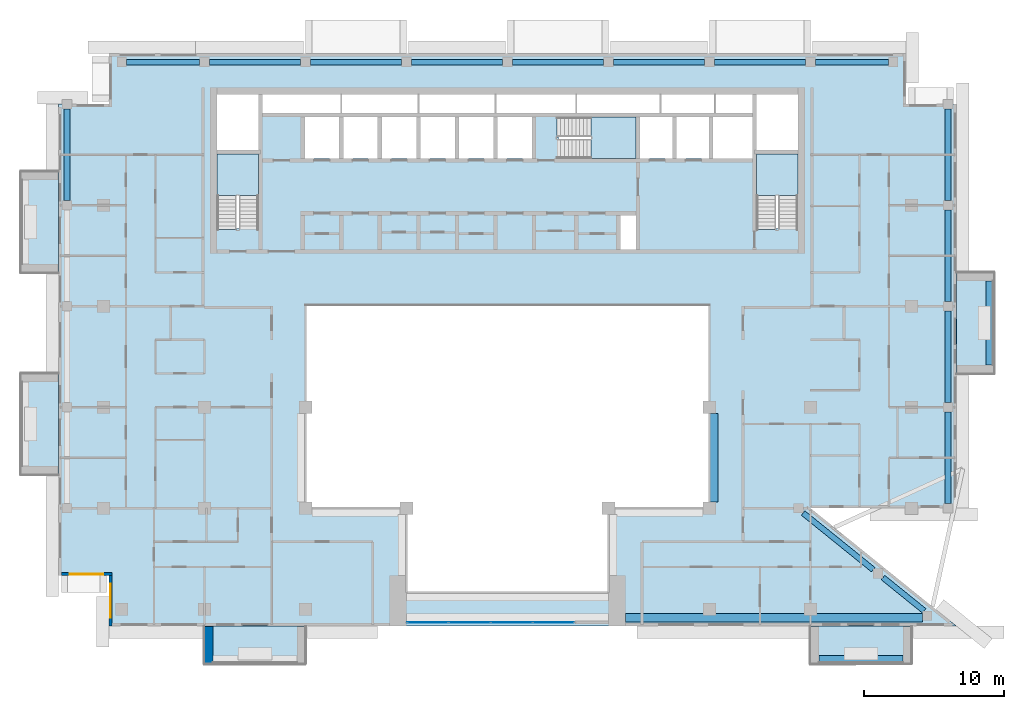
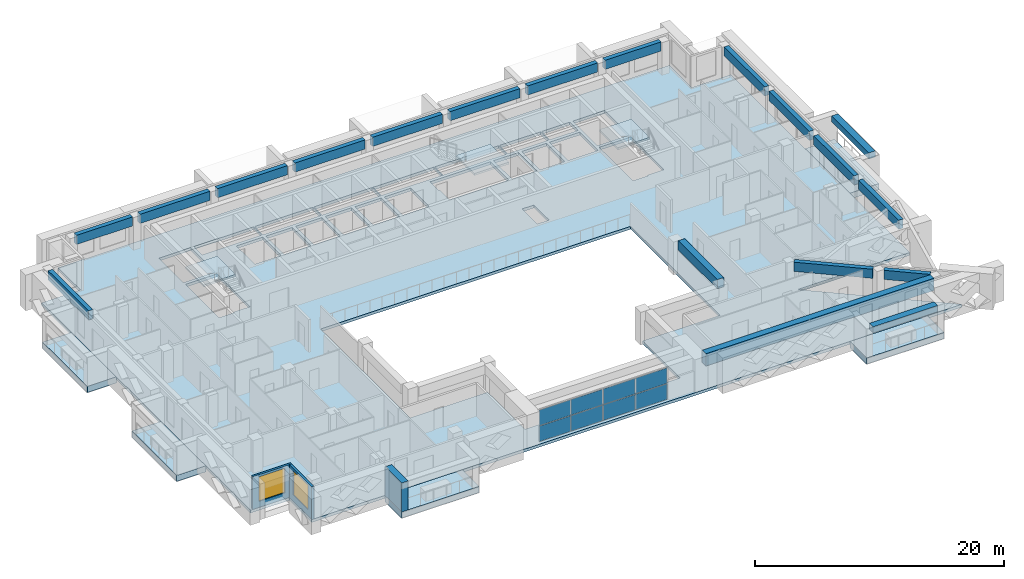
# One storey, part 5 of 19: 19 beams, 9 slabs, 8 plates, 3 walls, 2 windows, 2 openings, 4 elements without a shape of their own.
"""IFC4 building model written with IfcOpenShell, lengths in metres."""

from ifc_helpers import new_model, si_unit, direction, frame, frame_2d, origin, origin_2d, place, context, subcontext, project, spatial, polyline, rectangle, outline, extrude, source, transform, mapped, material, layer, layer_set, material_profile, profile_set, type_object, element, fill, aggregate, save


model = new_model("IFC4")

# Units and contexts
model_context = context("Model", 3, precision=1e-05, world=origin(), true_north=direction((0.0, 1.0)))
body_context = subcontext(model_context, "Body", "Model", "MODEL_VIEW")
ifc_project = project(units=[si_unit("LENGTHUNIT", "METRE"), si_unit("AREAUNIT", "SQUARE_METRE"), si_unit("VOLUMEUNIT", "CUBIC_METRE"), si_unit("PLANEANGLEUNIT", "RADIAN"), si_unit("MASSUNIT", "GRAM", prefix="KILO")], contexts=[model_context])

# Site, building, storey
site_placement = place(None, origin())
site = spatial("IfcSite", under=ifc_project, at=site_placement, CompositionType="ELEMENT")
building_placement = place(site_placement, origin())
building = spatial("IfcBuilding", under=site, at=building_placement, Name="Saffron Iwan Residences", CompositionType="ELEMENT")
storey_placement = place(building_placement, frame((0.0, 0.0, 222.0)))
storey = spatial("IfcBuildingStorey", under=building, at=storey_placement, Name="L59", CompositionType="ELEMENT", Elevation=222.0)

# Beams
ifc_material_1 = material(Name="Concrete C40/50", Category="concrete")
ifc_material_profile_1 = material_profile(ifc_material_1, rectangle(XDim=0.39990234375, YDim=0.89990234375, at=origin_2d()), Name="RC 400x900")
ifc_profile_set_1 = profile_set([ifc_material_profile_1], Name="Concrete C40/50")
beam_type_1 = type_object("IfcBeamType", Name="SPANDREL BEAM RC 400x900 C40/50 TOP 3220", PredefinedType="SPANDREL", material=ifc_profile_set_1)
shared_shape_1 = source(origin(), body_context, "Body", "SweptSolid", [
    extrude(rectangle(XDim=0.39990234375, YDim=0.89990234375, at=origin_2d()), origin(), (0.0, 0.0, 1.0), 3.767578125),
])
beam_1_placement = place(storey_placement, frame((77.173095703125, 43.050537109375, 2.77001953125), z_axis=(0.777920469401, -0.62836274817, 0.0), x_axis=(0.62836274817, 0.777920469401, 0.0)))
element("IfcBeam", 1, at=beam_1_placement, inside=storey, type_object=beam_type_1, Name="Spandrel beam", PredefinedType="SPANDREL", context=body_context, shape_type="MappedRepresentation", body=[
    mapped(shared_shape_1, transform((0.0, 0.0, 0.0))),
])
shared_shape_2 = source(origin(), body_context, "Body", "SweptSolid", [
    extrude(rectangle(XDim=0.39990234375, YDim=0.89990234375, at=origin_2d()), origin(), (0.0, 0.0, 1.0), 6.419921875),
])
beam_2_placement = place(storey_placement, frame((71.478515625, 47.64990234375, 2.77001953125), z_axis=(0.777940465262, -0.628337992253, 0.0), x_axis=(0.628337992253, 0.777940465262, 0.0)))
element("IfcBeam", 2, at=beam_2_placement, inside=storey, type_object=beam_type_1, Name="Spandrel beam", PredefinedType="SPANDREL", context=body_context, shape_type="MappedRepresentation", body=[
    mapped(shared_shape_2, transform((0.0, 0.0, 0.0))),
])
shared_shape_3 = source(origin(), body_context, "Body", "SweptSolid", [
    extrude(rectangle(XDim=0.39990234375, YDim=0.89990234375, at=origin_2d()), origin(), (0.0, 0.0, 1.0), 6.5),
])
for number, where, z_axis, x_axis, name in (
    (3, (81.800048828125, 54.85009765625, 2.77001953125), (0.0, -1.0, 0.0), (1.0, 0.0, 0.0), "Spandrel beam"),
    (4, (81.800048828125, 62.050048828125, 2.77001953125), (0.0, -1.0, 0.0), (1.0, 0.0, 0.0), "Spandrel beam"),
    (5, (81.800048828125, 69.25, 2.77001953125), (0.0, -1.0, 0.0), (1.0, 0.0, 0.0), "Spandrel beam"),
    (6, (19.0, 69.949951171875, 2.77001953125), (0.0, 1.0, 0.0), (-1.0, 0.0, 0.0), "Spandrel beam"),
    (7, (81.800048828125, 76.449951171875, 2.77001953125), (0.0, -1.0, 0.0), (1.0, 0.0, 0.0), "Spandrel beam"),
    (8, (29.14990234375, 79.800048828125, 2.77001953125), (1.0, 0.0, 0.0), (0.0, 1.0, 0.0), "Spandrel beam"),
    (9, (36.35009765625, 79.800048828125, 2.77001953125), (1.0, 0.0, 0.0), (0.0, 1.0, 0.0), "Spandrel beam"),
    (10, (43.550048828125, 79.800048828125, 2.77001953125), (1.0, 0.0, 0.0), (0.0, 1.0, 0.0), "Spandrel beam"),
    (11, (50.75, 79.800048828125, 2.77001953125), (1.0, 0.0, 0.0), (0.0, 1.0, 0.0), "Spandrel beam"),
    (12, (57.949951171875, 79.800048828125, 2.77001953125), (1.0, 0.0, 0.0), (0.0, 1.0, 0.0), "Spandrel beam"),
    (13, (65.14990234375, 79.800048828125, 2.77001953125), (1.0, 0.0, 0.0), (0.0, 1.0, 0.0), "Spandrel beam"),
):
    element("IfcBeam", number, at=place(storey_placement, frame(where, z_axis=z_axis, x_axis=x_axis)), inside=storey, type_object=beam_type_1, Name=name, PredefinedType="SPANDREL", context=body_context, shape_type="MappedRepresentation", body=[
        mapped(shared_shape_3, transform((0.0, 0.0, 0.0))),
    ])
shared_shape_4 = source(origin(), body_context, "Body", "SweptSolid", [
    extrude(rectangle(XDim=0.39990234375, YDim=0.89990234375, at=origin_2d()), origin(), (0.0, 0.0, 1.0), 5.199951171875),
])
for number, where, z_axis, x_axis, name in (
    (14, (23.25, 79.800048828125, 2.77001953125), (1.0, 0.0, 0.0), (0.0, 1.0, 0.0), "Spandrel beam"),
    (15, (72.35009765625, 79.800048828125, 2.77001953125), (1.0, 0.0, 0.0), (0.0, 1.0, 0.0), "Spandrel beam"),
):
    element("IfcBeam", number, at=place(storey_placement, frame(where, z_axis=z_axis, x_axis=x_axis)), inside=storey, type_object=beam_type_1, Name=name, PredefinedType="SPANDREL", context=body_context, shape_type="MappedRepresentation", body=[
        mapped(shared_shape_4, transform((0.0, 0.0, 0.0))),
    ])
ifc_material_profile_2 = material_profile(ifc_material_1, rectangle(XDim=0.60009765625, YDim=1.199951171875, at=origin_2d()), Name="RC 600x1200")
ifc_profile_set_2 = profile_set([ifc_material_profile_2], Name="Concrete C40/50")
beam_type_2 = type_object("IfcBeamType", Name="LINTEL BEAM RC 600x1200 C40/50 TOP 3220", PredefinedType="LINTEL", material=ifc_profile_set_2)
shared_shape_5 = source(origin(), body_context, "Body", "SweptSolid", [
    extrude(rectangle(XDim=0.60009765625, YDim=1.199951171875, at=origin_2d()), origin(), (0.0, 0.0, 1.0), 21.175537109375),
])
beam_3_placement = place(storey_placement, frame((79.9755859375, 40.199951171875, 2.6201171875), z_axis=(-1.0, 0.0, 0.0), x_axis=(0.0, -1.0, 0.0)))
element("IfcBeam", 16, at=beam_3_placement, inside=storey, type_object=beam_type_2, Name="Lintel beam over the iwan", PredefinedType="LINTEL", context=body_context, shape_type="MappedRepresentation", body=[
    mapped(shared_shape_5, transform((0.0, 0.0, 0.0))),
])
ifc_material_profile_3 = material_profile(ifc_material_1, rectangle(XDim=0.60009765625, YDim=0.89990234375, at=origin_2d()), Name="RC 600x900")
ifc_profile_set_3 = profile_set([ifc_material_profile_3], Name="Concrete C40/50")
beam_type_3 = type_object("IfcBeamType", Name="BEAM RC 600x900 C40/50 TOP 3220", PredefinedType="BEAM", material=ifc_profile_set_3)
shared_shape_6 = source(origin(), body_context, "Body", "SweptSolid", [
    extrude(rectangle(XDim=0.60009765625, YDim=0.89990234375, at=origin_2d()), origin(), (0.0, 0.0, 1.0), 6.300048828125),
])
beam_4_placement = place(storey_placement, frame((65.10009765625, 54.75, 2.77001953125), z_axis=(0.0, -1.0, 0.0), x_axis=(1.0, 0.0, 0.0)))
element("IfcBeam", 17, at=beam_4_placement, inside=storey, type_object=beam_type_3, Name="Atrium edge beam", PredefinedType="BEAM", context=body_context, shape_type="MappedRepresentation", body=[
    mapped(shared_shape_6, transform((0.0, 0.0, 0.0))),
])
ifc_material_2 = material(Name="Concrete C50/60 white painted", Category="concrete")
ifc_material_profile_4 = material_profile(ifc_material_2, rectangle(XDim=0.60009765625, YDim=0.60009765625, at=origin_2d()), Name="BALCONY FASCIA BEAM 600 x 600")
ifc_profile_set_4 = profile_set([ifc_material_profile_4], Name="Concrete C50/60 white painted")
beam_type_4 = type_object("IfcBeamType", Name="BALCONY FASCIA BEAM 600 x 600", PredefinedType="BEAM", material=ifc_profile_set_4)
shared_shape_7 = source(origin(), body_context, "Body", "SweptSolid", [
    extrude(rectangle(XDim=0.60009765625, YDim=0.60009765625, at=origin_2d()), origin(), (0.0, 0.0, 1.0), 6.0),
])
for number, where, z_axis, x_axis, name in (
    (18, (84.800048828125, 58.199951171875, 2.550048828125), (0.0, 1.0, 0.0), (-1.0, 0.0, 0.0), "Balcony fascia beam L59 F2-0"),
    (19, (72.60009765625, 37.199951171875, 2.550048828125), (1.0, 0.0, 0.0), (0.0, 1.0, 0.0), "Balcony fascia beam L59 11-1"),
):
    element("IfcBeam", number, at=place(storey_placement, frame(where, z_axis=z_axis, x_axis=x_axis)), inside=storey, type_object=beam_type_4, Name=name, PredefinedType="BEAM", context=body_context, shape_type="MappedRepresentation", body=[
        mapped(shared_shape_7, transform((0.0, 0.0, 0.0))),
    ])

# Slabs
ifc_layer_1 = layer(ifc_material_2, 0.60009765625)
ifc_layer_set_1 = layer_set([ifc_layer_1], Name="Concrete C50/60 white painted")
slab_type_1 = type_object("IfcSlabType", Name="BALCONY FRAME SLAB 600", PredefinedType="FLOOR", material=ifc_layer_set_1)
slab_1_placement = place(storey_placement, frame((0.0, 0.0, -0.60009765625)))
element("IfcSlab", 20, at=slab_1_placement, inside=storey, type_object=slab_type_1, Name="Balcony frame slab L59 F2-0", PredefinedType="FLOOR", context=body_context, shape_type="SweptSolid", body=[
    extrude(outline(polyline([(85.10009765625, 57.60009765625), (85.10009765625, 64.800048828125), (82.39990234375, 64.800048828125), (82.39990234375, 57.60009765625), (85.10009765625, 57.60009765625)])), origin(), (0.0, 0.0, 1.0), 0.60009765625),
])
slab_2_placement = place(storey_placement, frame((0.0, 0.0, -0.60009765625)))
element("IfcSlab", 21, at=slab_2_placement, inside=storey, type_object=slab_type_1, Name="Balcony frame slab L59 F8-0", PredefinedType="FLOOR", context=body_context, shape_type="SweptSolid", body=[
    extrude(outline(polyline([(15.699951171875, 72.0), (15.699951171875, 64.800048828125), (18.39990234375, 64.800048828125), (18.39990234375, 72.0), (15.699951171875, 72.0)])), origin(), (0.0, 0.0, 1.0), 0.60009765625),
])
slab_3_placement = place(storey_placement, frame((0.0, 0.0, -0.60009765625)))
element("IfcSlab", 22, at=slab_3_placement, inside=storey, type_object=slab_type_1, Name="Balcony frame slab L59 F8-1", PredefinedType="FLOOR", context=body_context, shape_type="SweptSolid", body=[
    extrude(outline(polyline([(15.699951171875, 57.60009765625), (15.699951171875, 50.39990234375), (18.39990234375, 50.39990234375), (18.39990234375, 57.60009765625), (15.699951171875, 57.60009765625)])), origin(), (0.0, 0.0, 1.0), 0.60009765625),
])
slab_4_placement = place(storey_placement, frame((0.0, 0.0, -0.60009765625)))
element("IfcSlab", 23, at=slab_4_placement, inside=storey, type_object=slab_type_1, Name="Balcony frame slab L59 11-0", PredefinedType="FLOOR", context=body_context, shape_type="SweptSolid", body=[
    extrude(outline(polyline([(28.800048828125, 36.89990234375), (36.0, 36.89990234375), (36.0, 39.60009765625), (28.800048828125, 39.60009765625), (28.800048828125, 36.89990234375)])), origin(), (0.0, 0.0, 1.0), 0.60009765625),
])
slab_5_placement = place(storey_placement, frame((0.0, 0.0, -0.60009765625)))
element("IfcSlab", 24, at=slab_5_placement, inside=storey, type_object=slab_type_1, Name="Balcony frame slab L59 11-1", PredefinedType="FLOOR", context=body_context, shape_type="SweptSolid", body=[
    extrude(outline(polyline([(72.0, 36.89990234375), (79.199951171875, 36.89990234375), (79.199951171875, 39.60009765625), (72.0, 39.60009765625), (72.0, 36.89990234375)])), origin(), (0.0, 0.0, 1.0), 0.60009765625),
])
ifc_layer_2 = layer(ifc_material_1, 0.280029296875)
ifc_layer_set_2 = layer_set([ifc_layer_2], Name="Concrete C40/50")
slab_type_2 = type_object("IfcSlabType", Name="PT PLATE 280 C40/50", PredefinedType="FLOOR", material=ifc_layer_set_2)
slab_6_placement = place(storey_placement, frame((0.0, 0.0, -0.280029296875)))
element("IfcSlab", 25, at=slab_6_placement, inside=storey, type_object=slab_type_2, Name="Floor slab L59", PredefinedType="FLOOR", context=body_context, shape_type="SweptSolid", body=[
    extrude(outline(polyline([(18.39990234375, 43.199951171875), (18.39990234375, 76.800048828125), (22.0, 76.800048828125), (22.0, 80.39990234375), (78.800048828125, 80.39990234375), (78.800048828125, 76.800048828125), (82.39990234375, 76.800048828125), (82.39990234375, 48.0), (72.0, 48.0), (82.39990234375, 39.60009765625), (22.0, 39.60009765625), (22.0, 43.199951171875), (18.39990234375, 43.199951171875)]), holes=[polyline([(64.800048828125, 48.0), (64.800048828125, 62.39990234375), (36.0, 62.39990234375), (36.0, 48.0), (43.199951171875, 48.0), (43.199951171875, 42.0), (57.60009765625, 42.0), (57.60009765625, 48.0), (64.800048828125, 48.0)]), polyline([(29.699951171875, 73.25), (29.699951171875, 67.949951171875), (29.699951171875, 67.8505859375), (31.10009765625, 67.8505859375), (31.10009765625, 67.949951171875), (32.64990234375, 67.949951171875), (32.64990234375, 73.25), (29.699951171875, 73.25)]), polyline([(38.39990234375, 75.875), (35.949951171875, 75.875), (35.949951171875, 72.925048828125), (38.39990234375, 72.925048828125), (38.39990234375, 75.875)]), polyline([(41.14990234375, 75.875), (38.699951171875, 75.875), (38.699951171875, 72.925048828125), (41.14990234375, 72.925048828125), (41.14990234375, 75.875)]), polyline([(43.89990234375, 72.925048828125), (43.89990234375, 75.875), (41.449951171875, 75.875), (41.449951171875, 72.925048828125), (43.89990234375, 72.925048828125)]), polyline([(46.64990234375, 72.925048828125), (46.64990234375, 75.875), (44.199951171875, 75.875), (44.199951171875, 72.925048828125), (46.64990234375, 72.925048828125)]), polyline([(49.39990234375, 75.875), (46.949951171875, 75.875), (46.949951171875, 72.925048828125), (49.39990234375, 72.925048828125), (49.39990234375, 75.875)]), polyline([(52.14990234375, 72.925048828125), (52.14990234375, 75.875), (49.699951171875, 75.875), (49.699951171875, 72.925048828125), (52.14990234375, 72.925048828125)]), polyline([(32.64990234375, 73.550048828125), (32.64990234375, 77.5), (29.699951171875, 77.5), (29.699951171875, 73.550048828125), (32.64990234375, 73.550048828125)]), polyline([(38.5, 77.5), (32.949951171875, 77.5), (32.949951171875, 76.175048828125), (38.5, 76.175048828125), (38.5, 77.5)]), polyline([(44.0, 76.175048828125), (44.0, 77.5), (38.60009765625, 77.5), (38.60009765625, 76.175048828125), (44.0, 76.175048828125)]), polyline([(49.5, 76.175048828125), (49.5, 77.5), (44.10009765625, 77.5), (44.10009765625, 76.175048828125), (49.5, 76.175048828125)]), polyline([(59.550048828125, 68.875), (58.449951171875, 68.875), (58.449951171875, 66.449951171875), (59.550048828125, 66.449951171875), (59.550048828125, 68.875)]), polyline([(68.14990234375, 73.25), (68.14990234375, 67.949951171875), (68.14990234375, 67.8505859375), (69.550048828125, 67.8505859375), (69.550048828125, 67.949951171875), (71.10009765625, 67.949951171875), (71.10009765625, 73.25), (68.14990234375, 73.25)]), polyline([(54.02490234375, 74.47509765625), (54.02490234375, 72.925048828125), (59.550048828125, 72.925048828125), (59.550048828125, 75.875), (54.02490234375, 75.875), (53.925537109375, 75.875), (53.925537109375, 74.47509765625), (54.02490234375, 74.47509765625)]), polyline([(62.14990234375, 72.925048828125), (62.14990234375, 75.875), (59.85009765625, 75.875), (59.85009765625, 72.925048828125), (62.14990234375, 72.925048828125)]), polyline([(64.75, 72.925048828125), (64.75, 75.875), (62.449951171875, 75.875), (62.449951171875, 72.925048828125), (64.75, 72.925048828125)]), polyline([(67.85009765625, 75.875), (65.050048828125, 75.875), (65.050048828125, 72.925048828125), (67.85009765625, 72.925048828125), (67.85009765625, 75.875)]), polyline([(71.10009765625, 73.550048828125), (71.10009765625, 77.5), (68.14990234375, 77.5), (68.14990234375, 73.550048828125), (71.10009765625, 73.550048828125)]), polyline([(55.25, 76.175048828125), (55.25, 77.5), (49.60009765625, 77.5), (49.60009765625, 76.175048828125), (55.25, 76.175048828125)]), polyline([(61.25, 77.5), (55.35009765625, 77.5), (55.35009765625, 76.175048828125), (61.25, 76.175048828125), (61.25, 77.5)]), polyline([(65.14990234375, 76.175048828125), (65.14990234375, 77.5), (61.35009765625, 77.5), (61.35009765625, 76.175048828125), (65.14990234375, 76.175048828125)]), polyline([(67.85009765625, 76.175048828125), (67.85009765625, 77.5), (65.25, 77.5), (65.25, 76.175048828125), (67.85009765625, 76.175048828125)])]), origin(), (0.0, 0.0, 1.0), 0.280029296875),
])

# Stair, slab
ifc_material_3 = material(Name="Concrete C50/60", Category="concrete")
stair_type = type_object("IfcStairType", Name="Stair ST-CORE", PredefinedType="HALF_TURN_STAIR", material=ifc_material_3)
stair_1_placement = place(storey_placement, origin())
stair_1 = element("IfcStair", 26, at=stair_1_placement, inside=storey, type_object=stair_type, Name="L59 Exit Stair ST-W", PredefinedType="HALF_TURN_STAIR")
ifc_layer_3 = layer(ifc_material_3, 0.199951171875)
ifc_layer_set_3 = layer_set([ifc_layer_3], Name="Concrete C50/60")
slab_type_3 = type_object("IfcSlabType", Name="Stair landing SL-RC", PredefinedType="LANDING", material=ifc_layer_set_3)
slab_7_placement = place(storey_placement, frame((0.0, 0.0, 1.5498046875)))
slab_7 = element("IfcSlab", 27, at=slab_7_placement, type_object=slab_type_3, Name="ST-W landing 1", PredefinedType="LANDING", context=body_context, shape_type="SweptSolid", body=[
    extrude(outline(polyline([(32.64990234375, 70.280029296875), (32.64990234375, 73.25), (29.699951171875, 73.25), (29.699951171875, 70.280029296875), (32.64990234375, 70.280029296875)])), origin(), (0.0, 0.0, 1.0), 0.2001953125),
])
aggregate(stair_1, [slab_7])

stair_2_placement = place(storey_placement, origin())
stair_2 = element("IfcStair", 28, at=stair_2_placement, inside=storey, type_object=stair_type, Name="L59 Exit Stair ST-C", PredefinedType="HALF_TURN_STAIR")
slab_8_placement = place(storey_placement, frame((0.0, 0.0, 1.5498046875)))
slab_8 = element("IfcSlab", 29, at=slab_8_placement, type_object=slab_type_3, Name="ST-C landing 1", PredefinedType="LANDING", context=body_context, shape_type="SweptSolid", body=[
    extrude(outline(polyline([(56.35498046875, 72.925048828125), (59.550048828125, 72.925048828125), (59.550048828125, 75.875), (56.35498046875, 75.875), (56.35498046875, 72.925048828125)])), origin(), (0.0, 0.0, 1.0), 0.2001953125),
])
aggregate(stair_2, [slab_8])

stair_3_placement = place(storey_placement, origin())
stair_3 = element("IfcStair", 30, at=stair_3_placement, inside=storey, type_object=stair_type, Name="L59 Exit Stair ST-E", PredefinedType="HALF_TURN_STAIR")
slab_9_placement = place(storey_placement, frame((0.0, 0.0, 1.5498046875)))
slab_9 = element("IfcSlab", 31, at=slab_9_placement, type_object=slab_type_3, Name="ST-E landing 1", PredefinedType="LANDING", context=body_context, shape_type="SweptSolid", body=[
    extrude(outline(polyline([(71.10009765625, 70.280029296875), (71.10009765625, 73.25), (68.14990234375, 73.25), (68.14990234375, 70.280029296875), (71.10009765625, 70.280029296875)])), origin(), (0.0, 0.0, 1.0), 0.2001953125),
])
aggregate(stair_3, [slab_9])

# Curtain wall, plates
ifc_material_4 = material(Name="Clear glass, laminated double glazed", Category="glass")
ifc_layer_4 = layer(ifc_material_4, 0.199951171875)
ifc_layer_set_4 = layer_set([ifc_layer_4], Name="Clear glass, laminated double glazed")
curtain_wall_type = type_object("IfcCurtainWallType", Name="CW-B IWAN PORTAL", PredefinedType="NOTDEFINED", material=ifc_layer_set_4)
curtain_wall_placement = place(storey_placement, origin())
curtain_wall = element("IfcCurtainWall", 32, at=curtain_wall_placement, inside=storey, type_object=curtain_wall_type, Name="Iwan portal glazing L59.1", PredefinedType="NOTDEFINED")
ifc_layer_5 = layer(ifc_material_4, 0.028076171875)
ifc_layer_set_5 = layer_set([ifc_layer_5], Name="Clear glass, laminated double glazed")
plate_type = type_object("IfcPlateType", Name="CW-B PANEL 28", PredefinedType="CURTAIN_PANEL", material=ifc_layer_set_5)
shared_shape_8 = source(origin(), body_context, "Body", "SweptSolid", [
    extrude(rectangle(XDim=2.909912109375, YDim=0.028076171875, at=origin_2d()), origin(), (0.0, 0.0, 1.0), 1.52001953125),
])
plate_1_placement = place(storey_placement, frame((44.715087890625, 39.85009765625, 0.06005859375), z_axis=(0.0, 0.0, 1.0), x_axis=(1.0, 0.0, 0.0)))
plate_1 = element("IfcPlate", 33, at=plate_1_placement, type_object=plate_type, Name="CW-B panel 1.1", PredefinedType="CURTAIN_PANEL", context=body_context, shape_type="MappedRepresentation", body=[
    mapped(shared_shape_8, transform((0.0, 0.0, 0.0))),
])
plate_2_placement = place(storey_placement, frame((44.715087890625, 39.85009765625, 1.639892578125), z_axis=(0.0, 0.0, 1.0), x_axis=(1.0, 0.0, 0.0)))
plate_2 = element("IfcPlate", 34, at=plate_2_placement, type_object=plate_type, Name="CW-B panel 1.2", PredefinedType="CURTAIN_PANEL", context=body_context, shape_type="MappedRepresentation", body=[
    mapped(shared_shape_8, transform((0.0, 0.0, 0.0))),
])
plate_3_placement = place(storey_placement, frame((53.68505859375, 39.85009765625, 0.06005859375), z_axis=(0.0, 0.0, 1.0), x_axis=(1.0, 0.0, 0.0)))
plate_3 = element("IfcPlate", 35, at=plate_3_placement, type_object=plate_type, Name="CW-B panel 4.1", PredefinedType="CURTAIN_PANEL", context=body_context, shape_type="MappedRepresentation", body=[
    mapped(shared_shape_8, transform((0.0, 0.0, 0.0))),
])
plate_4_placement = place(storey_placement, frame((53.68505859375, 39.85009765625, 1.639892578125), z_axis=(0.0, 0.0, 1.0), x_axis=(1.0, 0.0, 0.0)))
plate_4 = element("IfcPlate", 36, at=plate_4_placement, type_object=plate_type, Name="CW-B panel 4.2", PredefinedType="CURTAIN_PANEL", context=body_context, shape_type="MappedRepresentation", body=[
    mapped(shared_shape_8, transform((0.0, 0.0, 0.0))),
])
shared_shape_9 = source(origin(), body_context, "Body", "SweptSolid", [
    extrude(rectangle(XDim=2.93994140625, YDim=0.028076171875, at=origin_2d()), origin(), (0.0, 0.0, 1.0), 1.52001953125),
])
plate_5_placement = place(storey_placement, frame((47.699951171875, 39.85009765625, 0.06005859375), z_axis=(0.0, 0.0, 1.0), x_axis=(1.0, 0.0, 0.0)))
plate_5 = element("IfcPlate", 37, at=plate_5_placement, type_object=plate_type, Name="CW-B panel 2.1", PredefinedType="CURTAIN_PANEL", context=body_context, shape_type="MappedRepresentation", body=[
    mapped(shared_shape_9, transform((0.0, 0.0, 0.0))),
])
plate_6_placement = place(storey_placement, frame((47.699951171875, 39.85009765625, 1.639892578125), z_axis=(0.0, 0.0, 1.0), x_axis=(1.0, 0.0, 0.0)))
plate_6 = element("IfcPlate", 38, at=plate_6_placement, type_object=plate_type, Name="CW-B panel 2.2", PredefinedType="CURTAIN_PANEL", context=body_context, shape_type="MappedRepresentation", body=[
    mapped(shared_shape_9, transform((0.0, 0.0, 0.0))),
])
plate_7_placement = place(storey_placement, frame((50.699951171875, 39.85009765625, 0.06005859375), z_axis=(0.0, 0.0, 1.0), x_axis=(1.0, 0.0, 0.0)))
plate_7 = element("IfcPlate", 39, at=plate_7_placement, type_object=plate_type, Name="CW-B panel 3.1", PredefinedType="CURTAIN_PANEL", context=body_context, shape_type="MappedRepresentation", body=[
    mapped(shared_shape_9, transform((0.0, 0.0, 0.0))),
])
plate_8_placement = place(storey_placement, frame((50.699951171875, 39.85009765625, 1.639892578125), z_axis=(0.0, 0.0, 1.0), x_axis=(1.0, 0.0, 0.0)))
plate_8 = element("IfcPlate", 40, at=plate_8_placement, type_object=plate_type, Name="CW-B panel 3.2", PredefinedType="CURTAIN_PANEL", context=body_context, shape_type="MappedRepresentation", body=[
    mapped(shared_shape_9, transform((0.0, 0.0, 0.0))),
])
aggregate(curtain_wall, [plate_1, plate_2, plate_5, plate_6, plate_7, plate_8, plate_3, plate_4])

# Wall
ifc_layer_6 = layer(ifc_material_2, 0.60009765625)
ifc_layer_set_6 = layer_set([ifc_layer_6], Name="Concrete C50/60 white painted")
wall_type_1 = type_object("IfcWallType", Name="BALCONY FIN 600", PredefinedType="SOLIDWALL", material=ifc_layer_set_6)
wall_1_placement = place(storey_placement, frame((29.10009765625, 39.550048828125, 0.0), z_axis=(0.0, 0.0, 1.0), x_axis=(0.0, -1.0, 0.0)))
element("IfcWall", 41, at=wall_1_placement, inside=storey, type_object=wall_type_1, Name="Balcony fin L59 11-0a", PredefinedType="SOLIDWALL", context=body_context, shape_type="SweptSolid", body=[
    extrude(rectangle(XDim=2.650146484375, YDim=0.60009765625, at=frame_2d((1.3251953125, 0.0))), origin(), (0.0, 0.0, 1.0), 2.85009765625),
])

# Wall, opening, window
ifc_layer_7 = layer(ifc_material_1, 0.199951171875)
ifc_layer_set_7 = layer_set([ifc_layer_7], Name="Concrete C40/50")
wall_type_2 = type_object("IfcWallType", Name="EXTERNAL WALL 200", PredefinedType="SOLIDWALL", material=ifc_layer_set_7)
wall_2_placement = place(storey_placement, frame((18.60009765625, 43.300048828125, 0.0), z_axis=(0.0, 0.0, 1.0), x_axis=(1.0, 0.0, 0.0)))
wall_2 = element("IfcWall", 42, at=wall_2_placement, inside=storey, type_object=wall_type_2, Name="External wall L59 F9.0", PredefinedType="SOLIDWALL", context=body_context, shape_type="SweptSolid", body=[
    extrude(rectangle(XDim=3.599853515625, YDim=0.199951171875, at=frame_2d((1.7998046875, 0.0))), origin(), (0.0, 0.0, 1.0), 3.219970703125),
])
opening_1_placement = place(wall_2_placement, frame((0.60009765625, 0.0, 0.60009765625)))
opening_1 = element("IfcOpeningElement", 43, at=opening_1_placement, cuts=wall_2, Name="Opening W1", PredefinedType="OPENING", context=body_context, shape_type="SweptSolid", body=[
    extrude(rectangle(XDim=2.39990234375, YDim=2.39990234375, at=frame_2d((1.199951171875, 1.199951171875))), frame((0.0, 0.10986328125, 0.0), z_axis=(0.0, -1.0, 0.0), x_axis=(1.0, 0.0, 0.0)), (0.0, 0.0, 1.0), 0.219970703125),
])
window_type = type_object("IfcWindowType", Name="WINDOW 2400 x 2400", PartitioningType="DOUBLE_PANEL_VERTICAL", PredefinedType="WINDOW", material=ifc_material_4)
window_1_placement = place(opening_1_placement, origin())
window_1 = element("IfcWindow", 44, at=window_1_placement, inside=storey, type_object=window_type, Name="Window L59 F9.0", OverallHeight=2.39990234375, OverallWidth=2.39990234375, PartitioningType="DOUBLE_PANEL_VERTICAL", PredefinedType="WINDOW", context=body_context, shape_type="SweptSolid", body=[
    extrude(rectangle(XDim=2.39990234375, YDim=2.39990234375, at=frame_2d((1.199951171875, 1.199951171875))), frame((0.0, 0.030029296875, 0.0), z_axis=(0.0, -1.0, 0.0), x_axis=(1.0, 0.0, 0.0)), (0.0, 0.0, 1.0), 0.06005859375),
])
fill(opening_1, window_1)

wall_3_placement = place(storey_placement, frame((22.10009765625, 43.199951171875, 0.0), z_axis=(0.0, 0.0, 1.0), x_axis=(0.0, -1.0, 0.0)))
wall_3 = element("IfcWall", 45, at=wall_3_placement, inside=storey, type_object=wall_type_2, Name="External wall L59 F10.0", PredefinedType="SOLIDWALL", context=body_context, shape_type="SweptSolid", body=[
    extrude(rectangle(XDim=3.599853515625, YDim=0.199951171875, at=frame_2d((1.7998046875, 0.0))), origin(), (0.0, 0.0, 1.0), 3.219970703125),
])
opening_2_placement = place(wall_3_placement, frame((0.60009765625, 0.0, 0.60009765625)))
opening_2 = element("IfcOpeningElement", 46, at=opening_2_placement, cuts=wall_3, Name="Opening W1", PredefinedType="OPENING", context=body_context, shape_type="SweptSolid", body=[
    extrude(rectangle(XDim=2.39990234375, YDim=2.39990234375, at=frame_2d((1.199951171875, 1.199951171875))), frame((0.0, 0.10986328125, 0.0), z_axis=(0.0, -1.0, 0.0), x_axis=(1.0, 0.0, 0.0)), (0.0, 0.0, 1.0), 0.219970703125),
])
window_2_placement = place(opening_2_placement, origin())
window_2 = element("IfcWindow", 47, at=window_2_placement, inside=storey, type_object=window_type, Name="Window L59 F10.0", OverallHeight=2.39990234375, OverallWidth=2.39990234375, PartitioningType="DOUBLE_PANEL_VERTICAL", PredefinedType="WINDOW", context=body_context, shape_type="SweptSolid", body=[
    extrude(rectangle(XDim=2.39990234375, YDim=2.39990234375, at=frame_2d((1.199951171875, 1.199951171875))), frame((0.0, 0.030029296875, 0.0), z_axis=(0.0, -1.0, 0.0), x_axis=(1.0, 0.0, 0.0)), (0.0, 0.0, 1.0), 0.06005859375),
])
fill(opening_2, window_2)

save(model, "model.ifc")
